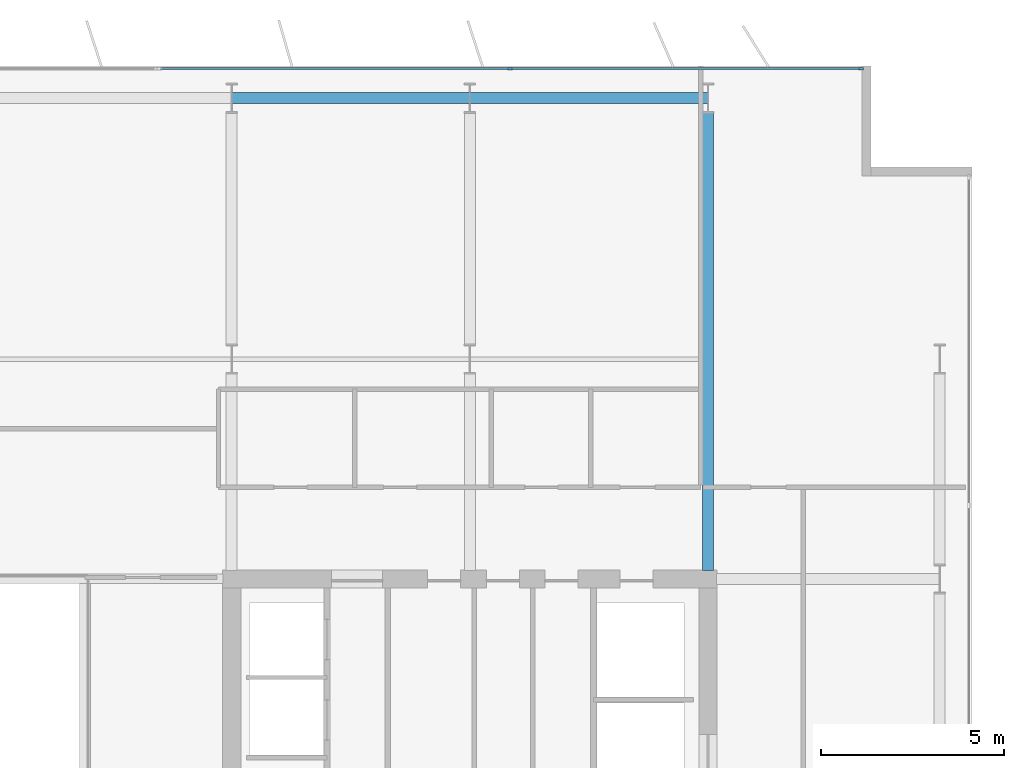
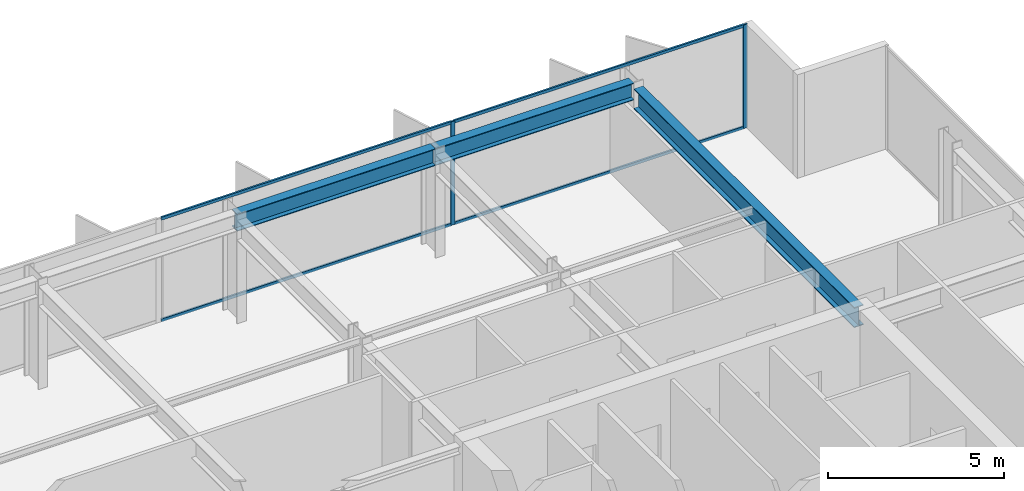
# One storey, part 13 of 24: 6 members, 3 beams, 1 element without a shape of its own.
"""IFC4 building model written with IfcOpenShell, lengths in metres."""

from ifc_helpers import new_model, si_unit, direction, frame, origin, origin_2d, place, context, subcontext, project, spatial, rectangle, i_section, extrude, material, layer, layer_set, material_profile, profile_set, type_object, element, aggregate, save


model = new_model("IFC4")

# Units and contexts
model_context = context("Model", 3, precision=1e-05, world=origin(), true_north=direction((0.0, 1.0)))
body_context = subcontext(model_context, "Body", "Model", "MODEL_VIEW")
ifc_project = project(units=[si_unit("LENGTHUNIT", "METRE"), si_unit("AREAUNIT", "SQUARE_METRE"), si_unit("VOLUMEUNIT", "CUBIC_METRE"), si_unit("PLANEANGLEUNIT", "RADIAN"), si_unit("MASSUNIT", "GRAM", prefix="KILO")], contexts=[model_context])

# Site, building, storey
site_placement = place(None, origin())
site = spatial("IfcSite", under=ifc_project, at=site_placement, CompositionType="ELEMENT")
building_placement = place(site_placement, origin())
building = spatial("IfcBuilding", under=site, at=building_placement, Name="Putna Gate Headquarters", CompositionType="ELEMENT")
storey_placement = place(building_placement, frame((0.0, 0.0, 248.0)))
storey = spatial("IfcBuildingStorey", under=building, at=storey_placement, Name="L62", CompositionType="ELEMENT", Elevation=248.0)

# Beams
ifc_material_1 = material(Name="Steel S355J2", Category="steel")
ifc_material_profile_1 = material_profile(ifc_material_1, i_section(OverallWidth=0.300048828125, OverallDepth=0.699951171875, WebThickness=0.01708984375, FlangeThickness=0.031982421875, at=origin_2d()), Name="Steel S355J2")
ifc_profile_set_1 = profile_set([ifc_material_profile_1], Name="Steel S355J2")
beam_type_1 = type_object("IfcBeamType", Name="BM-GIRD-B-HEB700", PredefinedType="USERDEFINED", material=ifc_profile_set_1)
beam_placement = place(storey_placement, frame((65.0, 33.235107421875, 3.22998046875), z_axis=(0.0, 1.0, 0.0), x_axis=(-1.0, 0.0, 0.0)))
element("IfcBeam", 1, at=beam_placement, inside=storey, type_object=beam_type_1, Name="L62 North Primary Girder X65", ObjectType="GIRDER", PredefinedType="USERDEFINED", context=body_context, shape_type="SweptSolid", body=[
    extrude(i_section(OverallWidth=0.300048828125, OverallDepth=0.699951171875, WebThickness=0.01708984375, FlangeThickness=0.031982421875, at=origin_2d()), origin(), (0.0, 0.0, 1.0), 12.489990234375),
])
ifc_material_profile_2 = material_profile(ifc_material_1, i_section(OverallWidth=0.300048828125, OverallDepth=0.590087890625, WebThickness=0.012939453125, FlangeThickness=0.02490234375, at=origin_2d()), Name="Steel S355J2")
ifc_profile_set_2 = profile_set([ifc_material_profile_2], Name="Steel S355J2")
beam_type_2 = type_object("IfcBeamType", Name="BM-SPAN-Z4-HEA600", PredefinedType="SPANDREL", material=ifc_profile_set_2)
for number, where, z_axis, x_axis, name in (
    (2, (52.006103515625, 46.1201171875, 3.284912109375), (1.0, 0.0, 0.0), (0.0, 1.0, 0.0), "L62 N Perimeter Spandrel 7"),
    (3, (58.506103515625, 46.1201171875, 3.284912109375), (1.0, 0.0, 0.0), (0.0, 1.0, 0.0), "L62 N Perimeter Spandrel 8"),
):
    element("IfcBeam", number, at=place(storey_placement, frame(where, z_axis=z_axis, x_axis=x_axis)), inside=storey, type_object=beam_type_2, Name=name, PredefinedType="SPANDREL", context=body_context, shape_type="SweptSolid", body=[
        extrude(i_section(OverallWidth=0.300048828125, OverallDepth=0.590087890625, WebThickness=0.012939453125, FlangeThickness=0.02490234375, at=origin_2d()), origin(), (0.0, 0.0, 1.0), 6.48779296875),
    ])

# Curtain wall, members
ifc_material_2 = material(Name="Anodised bronze aluminium curtain wall", Category="aluminium")
ifc_layer = layer(ifc_material_2, 0.139892578125)
ifc_layer_set = layer_set([ifc_layer], Name="Anodised bronze aluminium curtain wall")
curtain_wall_type = type_object("IfcCurtainWallType", Name="CW-SYS-Z4", PredefinedType="USERDEFINED", material=ifc_layer_set)
curtain_wall_placement = place(storey_placement, origin())
curtain_wall = element("IfcCurtainWall", 4, at=curtain_wall_placement, inside=storey, type_object=curtain_wall_type, Name="L62 North East Curtain Wall", ObjectType="STICK CURTAIN WALL", PredefinedType="USERDEFINED")
ifc_material_3 = material(Name="Anodised bronze aluminium EN AW-6060", Category="aluminium")
ifc_material_profile_3 = material_profile(ifc_material_3, rectangle(XDim=0.06005859375, YDim=0.139892578125, at=origin_2d()), Name="Anodised bronze aluminium EN AW-6060")
ifc_profile_set_3 = profile_set([ifc_material_profile_3], Name="Anodised bronze aluminium EN AW-6060")
member_type_1 = type_object("IfcMemberType", Name="MULL-CWM-4", PredefinedType="MULLION", material=ifc_profile_set_3)
member_1_placement = place(storey_placement, frame((59.60009765625, 46.919921875, 0.0), z_axis=(0.0, 0.0, 1.0), x_axis=(0.0, 1.0, 0.0)))
member_1 = element("IfcMember", 5, at=member_1_placement, type_object=member_type_1, Name="CWS-4 mullion 2", PredefinedType="MULLION", context=body_context, shape_type="SweptSolid", body=[
    extrude(rectangle(XDim=0.06005859375, YDim=0.139892578125, at=origin_2d()), origin(), (0.0, 0.0, 1.0), 3.580078125),
])
member_2_placement = place(storey_placement, frame((69.169921875, 46.919921875, 0.0), z_axis=(0.0, 0.0, 1.0), x_axis=(0.0, 1.0, 0.0)))
member_2 = element("IfcMember", 6, at=member_2_placement, type_object=member_type_1, Name="CWS-4 mullion 3", PredefinedType="MULLION", context=body_context, shape_type="SweptSolid", body=[
    extrude(rectangle(XDim=0.06005859375, YDim=0.139892578125, at=origin_2d()), origin(), (0.0, 0.0, 1.0), 3.580078125),
])
ifc_material_profile_4 = material_profile(ifc_material_3, rectangle(XDim=0.06005859375, YDim=0.10009765625, at=origin_2d()), Name="Anodised bronze aluminium EN AW-6060")
ifc_profile_set_4 = profile_set([ifc_material_profile_4], Name="Anodised bronze aluminium EN AW-6060")
member_type_2 = type_object("IfcMemberType", Name="TRAN-CWT-4", PredefinedType="USERDEFINED", material=ifc_profile_set_4)
member_3_placement = place(storey_placement, frame((50.06005859375, 46.919921875, 0.030029296875), z_axis=(1.0, 0.0, 0.0), x_axis=(0.0, 1.0, 0.0)))
member_3 = element("IfcMember", 7, at=member_3_placement, type_object=member_type_2, Name="CWS-4 transom 1.1", ObjectType="TRANSOM", PredefinedType="USERDEFINED", context=body_context, shape_type="SweptSolid", body=[
    extrude(rectangle(XDim=0.06005859375, YDim=0.10009765625, at=origin_2d()), origin(), (0.0, 0.0, 1.0), 9.510009765625),
])
member_4_placement = place(storey_placement, frame((50.06005859375, 46.919921875, 3.550048828125), z_axis=(1.0, 0.0, 0.0), x_axis=(0.0, 1.0, 0.0)))
member_4 = element("IfcMember", 8, at=member_4_placement, type_object=member_type_2, Name="CWS-4 transom 1.2", ObjectType="TRANSOM", PredefinedType="USERDEFINED", context=body_context, shape_type="SweptSolid", body=[
    extrude(rectangle(XDim=0.06005859375, YDim=0.10009765625, at=origin_2d()), origin(), (0.0, 0.0, 1.0), 9.510009765625),
])
member_5_placement = place(storey_placement, frame((59.6298828125, 46.919921875, 0.030029296875), z_axis=(1.0, 0.0, 0.0), x_axis=(0.0, 1.0, 0.0)))
member_5 = element("IfcMember", 9, at=member_5_placement, type_object=member_type_2, Name="CWS-4 transom 2.1", ObjectType="TRANSOM", PredefinedType="USERDEFINED", context=body_context, shape_type="SweptSolid", body=[
    extrude(rectangle(XDim=0.06005859375, YDim=0.10009765625, at=origin_2d()), origin(), (0.0, 0.0, 1.0), 9.510009765625),
])
member_6_placement = place(storey_placement, frame((59.6298828125, 46.919921875, 3.550048828125), z_axis=(1.0, 0.0, 0.0), x_axis=(0.0, 1.0, 0.0)))
member_6 = element("IfcMember", 10, at=member_6_placement, type_object=member_type_2, Name="CWS-4 transom 2.2", ObjectType="TRANSOM", PredefinedType="USERDEFINED", context=body_context, shape_type="SweptSolid", body=[
    extrude(rectangle(XDim=0.06005859375, YDim=0.10009765625, at=origin_2d()), origin(), (0.0, 0.0, 1.0), 9.510009765625),
])
aggregate(curtain_wall, [member_1, member_2, member_3, member_4, member_5, member_6])

save(model, "model.ifc")
